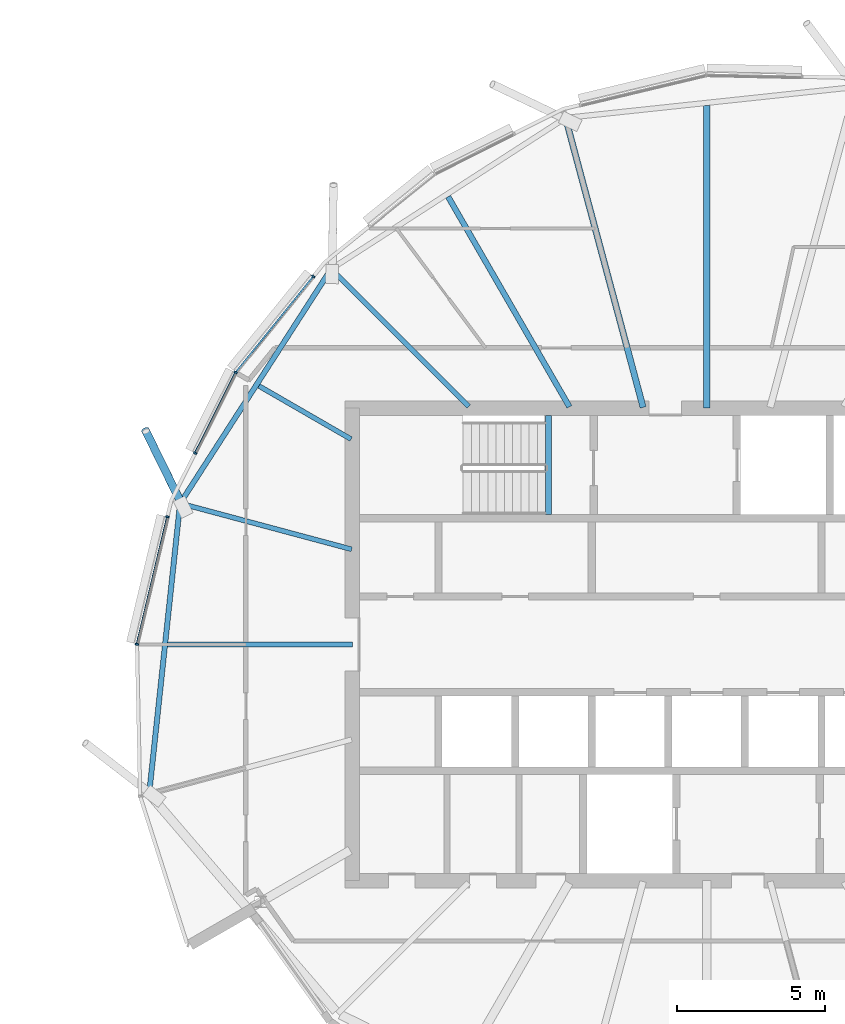
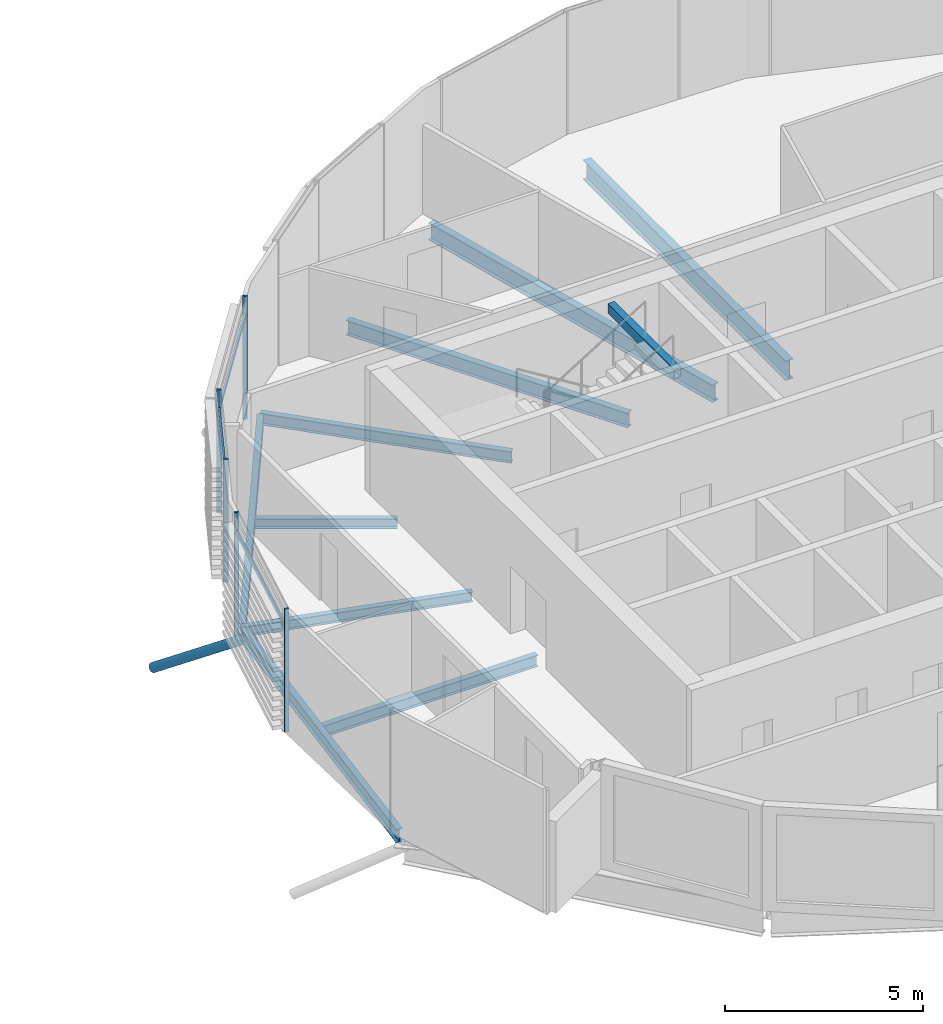
# One storey, part 11 of 33: 10 beams, 9 members, 1 element without a shape of its own.
"""IFC4 building model written with IfcOpenShell, lengths in metres."""

from ifc_helpers import new_model, si_unit, direction, frame, origin, origin_2d, place, context, subcontext, project, spatial, rectangle, hollow_rectangle, hollow_circle, i_section, extrude, clip, halfspace, material, material_profile, profile_set, type_object, element, aggregate, save


model = new_model("IFC4")

# Units and contexts
model_context = context("Model", 3, precision=1e-05, world=origin(), true_north=direction((0.0, 1.0)))
body_context = subcontext(model_context, "Body", "Model", "MODEL_VIEW")
ifc_project = project(units=[si_unit("LENGTHUNIT", "METRE"), si_unit("AREAUNIT", "SQUARE_METRE"), si_unit("VOLUMEUNIT", "CUBIC_METRE"), si_unit("PLANEANGLEUNIT", "RADIAN"), si_unit("MASSUNIT", "GRAM", prefix="KILO")], contexts=[model_context])

# Site, building, storey
site_placement = place(None, origin())
site = spatial("IfcSite", under=ifc_project, at=site_placement, CompositionType="ELEMENT")
building_placement = place(site_placement, origin())
building = spatial("IfcBuilding", under=site, at=building_placement, Name="Rimbun Link Towers", CompositionType="ELEMENT")
storey_placement = place(building_placement, frame((0.0, 0.0, 240.89990234375)))
storey = spatial("IfcBuildingStorey", under=building, at=storey_placement, Name="L59", CompositionType="ELEMENT", Elevation=240.89990234375)

# Curtain wall, members
ifc_material_1 = material(Name="Aluminium 6063-T6 and low-iron glass", Category="aluminium")
curtain_wall_type = type_object("IfcCurtainWallType", Name="CW1-Z4 unitised vision wall (zone 4)", PredefinedType="NOTDEFINED", material=ifc_material_1)
curtain_wall_placement = place(storey_placement, origin())
curtain_wall = element("IfcCurtainWall", 1, at=curtain_wall_placement, inside=storey, type_object=curtain_wall_type, Name="CW1 L59 T2", PredefinedType="NOTDEFINED")
ifc_material_2 = material(Name="Aluminium 6063-T6", Category="aluminium")
ifc_material_profile_1 = material_profile(ifc_material_2, rectangle(XDim=0.1201171875, YDim=0.06005859375, at=origin_2d()), Name="MULLION 60X120")
ifc_profile_set_1 = profile_set([ifc_material_profile_1], Name="Aluminium 6063-T6")
member_type_1 = type_object("IfcMemberType", Name="CW1 mullion 60X120", PredefinedType="MULLION", material=ifc_profile_set_1)
member_1_placement = place(storey_placement, frame((15.797607421875, 9.213623046875, 0.0), z_axis=(0.0, 0.0, 1.0), x_axis=(-0.840317451193, 0.542094623862, 0.0)))
member_1 = element("IfcMember", 2, at=member_1_placement, type_object=member_type_1, Name="CW1 mullion", PredefinedType="MULLION", context=body_context, shape_type="SweptSolid", body=[
    extrude(rectangle(XDim=0.1201171875, YDim=0.06005859375, at=origin_2d()), origin(), (0.0, 0.0, 1.0), 3.800048828125),
])
member_2_placement = place(storey_placement, frame((18.430419921875, 12.466796875, 0.0), z_axis=(0.0, 0.0, 1.0), x_axis=(-0.777285317003, 0.629148262313, 0.0)))
member_2 = element("IfcMember", 3, at=member_2_placement, type_object=member_type_1, Name="CW1 mullion", PredefinedType="MULLION", context=body_context, shape_type="SweptSolid", body=[
    extrude(rectangle(XDim=0.1201171875, YDim=0.06005859375, at=origin_2d()), origin(), (0.0, 0.0, 1.0), 3.800048828125),
])
member_3_placement = place(storey_placement, frame((14.424560546875, 6.47998046875, 0.0), z_axis=(0.0, 0.0, 1.0), x_axis=(-0.893642754219, 0.448779041213, 0.0)))
member_3 = element("IfcMember", 4, at=member_3_placement, type_object=member_type_1, Name="CW1 mullion", PredefinedType="MULLION", context=body_context, shape_type="SweptSolid", body=[
    extrude(rectangle(XDim=0.1201171875, YDim=0.06005859375, at=origin_2d()), origin(), (0.0, 0.0, 1.0), 3.800048828125),
])
member_4_placement = place(storey_placement, frame((12.4521484375, 0.00634765625, 0.0), z_axis=(0.0, 0.0, 1.0), x_axis=(-0.994297670519, 0.106640247566, 0.0)))
member_4 = element("IfcMember", 5, at=member_4_placement, type_object=member_type_1, Name="CW1 mullion", PredefinedType="MULLION", context=body_context, shape_type="SweptSolid", body=[
    extrude(rectangle(XDim=0.1201171875, YDim=0.06005859375, at=origin_2d()), origin(), (0.0, 0.0, 1.0), 3.800048828125),
])
member_5_placement = place(storey_placement, frame((13.484130859375, 4.323486328125, 0.0), z_axis=(0.0, 0.0, 1.0), x_axis=(-0.972571783307, 0.23260293703, 0.0)))
member_5 = element("IfcMember", 6, at=member_5_placement, type_object=member_type_1, Name="CW1 mullion", PredefinedType="MULLION", context=body_context, shape_type="SweptSolid", body=[
    extrude(rectangle(XDim=0.1201171875, YDim=0.06005859375, at=origin_2d()), origin(), (0.0, 0.0, 1.0), 3.800048828125),
])
ifc_material_3 = material(Name="Aluminium 6063-T6", Category="aluminium")
ifc_material_profile_2 = material_profile(ifc_material_3, rectangle(XDim=0.06005859375, YDim=0.1201171875, at=origin_2d()), Name="TRANSOM 60X120")
ifc_profile_set_2 = profile_set([ifc_material_profile_2], Name="Aluminium 6063-T6")
member_type_2 = type_object("IfcMemberType", Name="CW1 transom 60X120", PredefinedType="USERDEFINED", material=ifc_profile_set_2)
member_6_placement = place(storey_placement, frame((15.82177734375, 9.24072265625, 3.2001953125), z_axis=(0.629152187404, 0.77728213995, 0.0), x_axis=(-0.77728213995, 0.629152187404, 0.0)))
member_6 = element("IfcMember", 7, at=member_6_placement, type_object=member_type_2, Name="CW1 transom", ObjectType="TRANSOM", PredefinedType="USERDEFINED", context=body_context, shape_type="SweptSolid", body=[
    extrude(rectangle(XDim=0.06005859375, YDim=0.1201171875, at=origin_2d()), origin(), (0.0, 0.0, 1.0), 4.11865234375),
])
member_7_placement = place(storey_placement, frame((14.439697265625, 6.505859375, 3.2001953125), z_axis=(0.448779272577, 0.89364263803, 0.0), x_axis=(-0.89364263803, 0.448779272577, 0.0)))
member_7 = element("IfcMember", 8, at=member_7_placement, type_object=member_type_2, Name="CW1 transom", ObjectType="TRANSOM", PredefinedType="USERDEFINED", context=body_context, shape_type="SweptSolid", body=[
    extrude(rectangle(XDim=0.06005859375, YDim=0.1201171875, at=origin_2d()), origin(), (0.0, 0.0, 1.0), 2.99267578125),
])
member_8_placement = place(storey_placement, frame((12.462158203125, 0.042724609375, 3.2001953125), z_axis=(0.232639830265, 0.97256295908, 0.0), x_axis=(-0.97256295908, 0.232639830265, 0.0)))
member_8 = element("IfcMember", 9, at=member_8_placement, type_object=member_type_2, Name="CW1 transom", ObjectType="TRANSOM", PredefinedType="USERDEFINED", context=body_context, shape_type="SweptSolid", body=[
    extrude(rectangle(XDim=0.06005859375, YDim=0.1201171875, at=origin_2d()), origin(), (0.0, 0.0, 1.0), 4.370849609375),
])
aggregate(curtain_wall, [member_1, member_2, member_3, member_4, member_5, member_6, member_7, member_8])

# Member
ifc_material_4 = material(Name="Steel S355J2H", Category="steel")
ifc_material_profile_3 = material_profile(ifc_material_4, hollow_circle(Radius=0.136474609375, WallThickness=0.012451171875, at=origin_2d()), Name="CHS 273x12.5")
ifc_profile_set_3 = profile_set([ifc_material_profile_3], Name="Steel S355J2H")
member_type_3 = type_object("IfcMemberType", Name="Floor edge link CHS 273x12.5", PredefinedType="BRACE", material=ifc_profile_set_3)
member_9_placement = place(storey_placement, frame((13.965087890625, 4.765380859375, -0.5546875), z_axis=(-0.359633277607, 0.731739385652, -0.578983054262), x_axis=(-0.897465801875, -0.441084044672, 0.0)))
element("IfcMember", 10, at=member_9_placement, inside=storey, type_object=member_type_3, Name="Floor edge link T2 L59 08", PredefinedType="BRACE", context=body_context, shape_type="Clipping", body=[
    clip(extrude(hollow_circle(Radius=0.136474609375, WallThickness=0.012451171875, at=origin_2d()), frame((0.0, 0.0, -0.401611328125)), (0.0, 0.0, 1.0), 3.8076171875), halfspace(frame((0.0, 0.0, -0.18896484375), z_axis=(0.0, 0.815339575194, -0.578983054262)), False)),
])

# Beams
ifc_material_5 = material(Name="Steel S355J2", Category="steel")
ifc_material_profile_4 = material_profile(ifc_material_5, hollow_rectangle(XDim=0.199951171875, YDim=0.300048828125, WallThickness=0.011962890625, at=origin_2d()), Name="BOX 300x200x12")
ifc_profile_set_4 = profile_set([ifc_material_profile_4], Name="Steel S355J2")
beam_type_1 = type_object("IfcBeamType", Name="Stair trimmer beam BOX 300x200x12", PredefinedType="BEAM", material=ifc_profile_set_4)
beam_1_placement = place(storey_placement, frame((26.39990234375, 7.75, 3.510009765625), z_axis=(0.0, -1.0, 0.0), x_axis=(1.0, 0.0, 0.0)))
element("IfcBeam", 11, at=beam_1_placement, inside=storey, type_object=beam_type_1, Name="L59 ST3 stair beam 1", PredefinedType="BEAM", context=body_context, shape_type="SweptSolid", body=[
    extrude(hollow_rectangle(XDim=0.199951171875, YDim=0.300048828125, WallThickness=0.011962890625, at=origin_2d()), origin(), (0.0, 0.0, 1.0), 3.35009765625),
])
ifc_material_6 = material(Name="Steel S355J2", Category="steel")
ifc_material_profile_5 = material_profile(ifc_material_6, i_section(OverallWidth=0.1650390625, OverallDepth=0.303466796875, WebThickness=0.006103515625, FlangeThickness=0.01025390625, at=origin_2d()), Name="UB 305x165x40")
ifc_profile_set_5 = profile_set([ifc_material_profile_5], Name="Steel S355J2")
beam_type_2 = type_object("IfcBeamType", Name="UB 305x165x40", PredefinedType="BEAM", material=ifc_profile_set_5)
beam_2_placement = place(storey_placement, frame((19.7080078125, 6.952392578125, -0.29150390625), z_axis=(-0.866013024682, 0.500021440621, 0.0), x_axis=(-0.500021440621, -0.866013024682, 0.0)))
element("IfcBeam", 12, at=beam_2_placement, inside=storey, type_object=beam_type_2, Name="Radial beam T2 L59 07", PredefinedType="BEAM", context=body_context, shape_type="SweptSolid", body=[
    extrude(i_section(OverallWidth=0.1650390625, OverallDepth=0.303466796875, WebThickness=0.006103515625, FlangeThickness=0.01025390625, at=origin_2d()), origin(), (0.0, 0.0, 1.0), 3.604736328125),
])
beam_3_placement = place(storey_placement, frame((19.727783203125, 3.221435546875, -0.29150390625), z_axis=(-0.965930480353, 0.258801675275, 0.0), x_axis=(-0.258801675275, -0.965930480353, 0.0)))
element("IfcBeam", 13, at=beam_3_placement, inside=storey, type_object=beam_type_2, Name="Radial beam T2 L59 08", PredefinedType="BEAM", context=body_context, shape_type="SweptSolid", body=[
    extrude(i_section(OverallWidth=0.1650390625, OverallDepth=0.303466796875, WebThickness=0.006103515625, FlangeThickness=0.01025390625, at=origin_2d()), origin(), (0.0, 0.0, 1.0), 6.015625),
])
ifc_material_7 = material(Name="Steel S355J2", Category="steel")
ifc_material_profile_6 = material_profile(ifc_material_7, i_section(OverallWidth=0.17138671875, OverallDepth=0.35498046875, WebThickness=0.00732421875, FlangeThickness=0.011474609375, at=origin_2d()), Name="UB 356x171x51")
ifc_profile_set_6 = profile_set([ifc_material_profile_6], Name="Steel S355J2")
beam_type_3 = type_object("IfcBeamType", Name="UB 356x171x51", PredefinedType="BEAM", material=ifc_profile_set_6)
beam_4_placement = place(storey_placement, frame((23.688720703125, 8.061279296875, -0.3173828125), z_axis=(-0.707106781187, 0.707106781187, 0.0), x_axis=(-0.707106781187, -0.707106781187, 0.0)))
element("IfcBeam", 14, at=beam_4_placement, inside=storey, type_object=beam_type_3, Name="Radial beam T2 L59 06", PredefinedType="BEAM", context=body_context, shape_type="SweptSolid", body=[
    extrude(i_section(OverallWidth=0.17138671875, OverallDepth=0.35498046875, WebThickness=0.00732421875, FlangeThickness=0.011474609375, at=origin_2d()), origin(), (0.0, 0.0, 1.0), 6.5849609375),
])
beam_5_placement = place(storey_placement, frame((19.7490234375, 0.0, -0.3173828125), z_axis=(-1.0, 0.0, 0.0), x_axis=(0.0, -1.0, 0.0)))
element("IfcBeam", 15, at=beam_5_placement, inside=storey, type_object=beam_type_3, Name="Radial beam T2 L59 09", PredefinedType="BEAM", context=body_context, shape_type="SweptSolid", body=[
    extrude(i_section(OverallWidth=0.17138671875, OverallDepth=0.35498046875, WebThickness=0.00732421875, FlangeThickness=0.011474609375, at=origin_2d()), origin(), (0.0, 0.0, 1.0), 6.2509765625),
])
ifc_material_8 = material(Name="Steel S355J2", Category="steel")
ifc_material_profile_7 = material_profile(ifc_material_8, i_section(OverallWidth=0.177978515625, OverallDepth=0.406494140625, WebThickness=0.0078125, FlangeThickness=0.0126953125, at=origin_2d()), Name="UB 406x178x60")
ifc_profile_set_7 = profile_set([ifc_material_profile_7], Name="Steel S355J2")
beam_type_4 = type_object("IfcBeamType", Name="UB 406x178x60", PredefinedType="BEAM", material=ifc_profile_set_7)
beam_6_placement = place(storey_placement, frame((18.984375, 12.64306640625, -0.343017578125), z_axis=(-0.541635983598, -0.840613146026, 0.0), x_axis=(0.840613146026, -0.541635983598, 0.0)))
element("IfcBeam", 16, at=beam_6_placement, inside=storey, type_object=beam_type_4, Name="Edge beam T2 L59 06-08", PredefinedType="BEAM", context=body_context, shape_type="SweptSolid", body=[
    extrude(i_section(OverallWidth=0.177978515625, OverallDepth=0.406494140625, WebThickness=0.0078125, FlangeThickness=0.0126953125, at=origin_2d()), origin(), (0.0, 0.0, 1.0), 9.268310546875),
])
beam_7_placement = place(storey_placement, frame((13.907958984375, 4.6943359375, -0.343017578125), z_axis=(-0.105977494228, -0.994368528624, 0.0), x_axis=(0.994368528624, -0.105977494228, 0.0)))
element("IfcBeam", 17, at=beam_7_placement, inside=storey, type_object=beam_type_4, Name="Edge beam T2 L59 08-10", PredefinedType="BEAM", context=body_context, shape_type="SweptSolid", body=[
    extrude(i_section(OverallWidth=0.177978515625, OverallDepth=0.406494140625, WebThickness=0.0078125, FlangeThickness=0.0126953125, at=origin_2d()), origin(), (0.0, 0.0, 1.0), 9.71240234375),
])
ifc_material_9 = material(Name="Steel S355J2", Category="steel")
ifc_material_profile_8 = material_profile(ifc_material_9, i_section(OverallWidth=0.18994140625, OverallDepth=0.453369140625, WebThickness=0.008544921875, FlangeThickness=0.0126953125, at=origin_2d()), Name="UB 457x191x67")
ifc_profile_set_8 = profile_set([ifc_material_profile_8], Name="Steel S355J2")
beam_type_5 = type_object("IfcBeamType", Name="UB 457x191x67", PredefinedType="BEAM", material=ifc_profile_set_8)
beam_8_placement = place(storey_placement, frame((27.103271484375, 8.04833984375, -0.36669921875), z_axis=(-0.500002817014, 0.866023777374, 0.0), x_axis=(-0.866023777374, -0.500002817014, 0.0)))
element("IfcBeam", 18, at=beam_8_placement, inside=storey, type_object=beam_type_5, Name="Radial beam T2 L59 05", PredefinedType="BEAM", context=body_context, shape_type="SweptSolid", body=[
    extrude(i_section(OverallWidth=0.18994140625, OverallDepth=0.453369140625, WebThickness=0.008544921875, FlangeThickness=0.0126953125, at=origin_2d()), origin(), (0.0, 0.0, 1.0), 8.21630859375),
])
ifc_material_10 = material(Name="Steel S355J2", Category="steel")
ifc_material_profile_9 = material_profile(ifc_material_10, i_section(OverallWidth=0.209228515625, OverallDepth=0.533203125, WebThickness=0.010009765625, FlangeThickness=0.015625, at=origin_2d()), Name="UB 533x210x92")
ifc_profile_set_9 = profile_set([ifc_material_profile_9], Name="Steel S355J2")
beam_type_6 = type_object("IfcBeamType", Name="UB 533x210x92", PredefinedType="BEAM", material=ifc_profile_set_9)
beam_9_placement = place(storey_placement, frame((29.598876953125, 8.028076171875, -0.406494140625), z_axis=(-0.258816632392, 0.96592647277, 0.0), x_axis=(-0.96592647277, -0.258816632392, 0.0)))
element("IfcBeam", 19, at=beam_9_placement, inside=storey, type_object=beam_type_6, Name="Radial beam T2 L59 04", PredefinedType="BEAM", context=body_context, shape_type="SweptSolid", body=[
    extrude(i_section(OverallWidth=0.209228515625, OverallDepth=0.533203125, WebThickness=0.010009765625, FlangeThickness=0.015625, at=origin_2d()), origin(), (0.0, 0.0, 1.0), 10.15087890625),
])
ifc_material_11 = material(Name="Steel S355J2", Category="steel")
ifc_material_profile_10 = material_profile(ifc_material_11, i_section(OverallWidth=0.2275390625, OverallDepth=0.6025390625, WebThickness=0.010498046875, FlangeThickness=0.014892578125, at=origin_2d()), Name="UB 610x229x101")
ifc_profile_set_10 = profile_set([ifc_material_profile_10], Name="Steel S355J2")
beam_type_7 = type_object("IfcBeamType", Name="UB 610x229x101", PredefinedType="BEAM", material=ifc_profile_set_10)
beam_10_placement = place(storey_placement, frame((31.75, 8.0009765625, -0.441162109375), z_axis=(0.0, 1.0, 0.0), x_axis=(-1.0, 0.0, 0.0)))
element("IfcBeam", 20, at=beam_10_placement, inside=storey, type_object=beam_type_7, Name="Radial beam T2 L59 03", PredefinedType="BEAM", context=body_context, shape_type="SweptSolid", body=[
    extrude(i_section(OverallWidth=0.2275390625, OverallDepth=0.6025390625, WebThickness=0.010498046875, FlangeThickness=0.014892578125, at=origin_2d()), origin(), (0.0, 0.0, 1.0), 10.2509765625),
])

save(model, "model.ifc")
